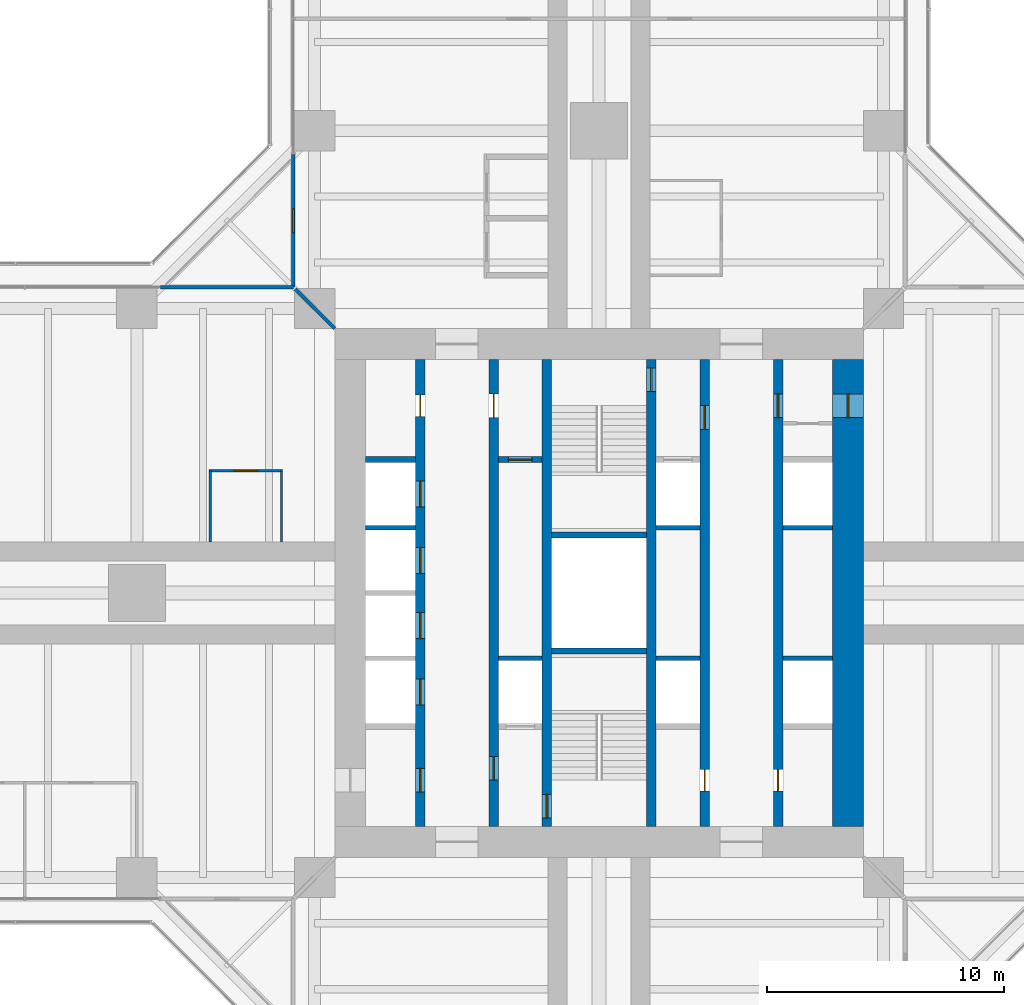
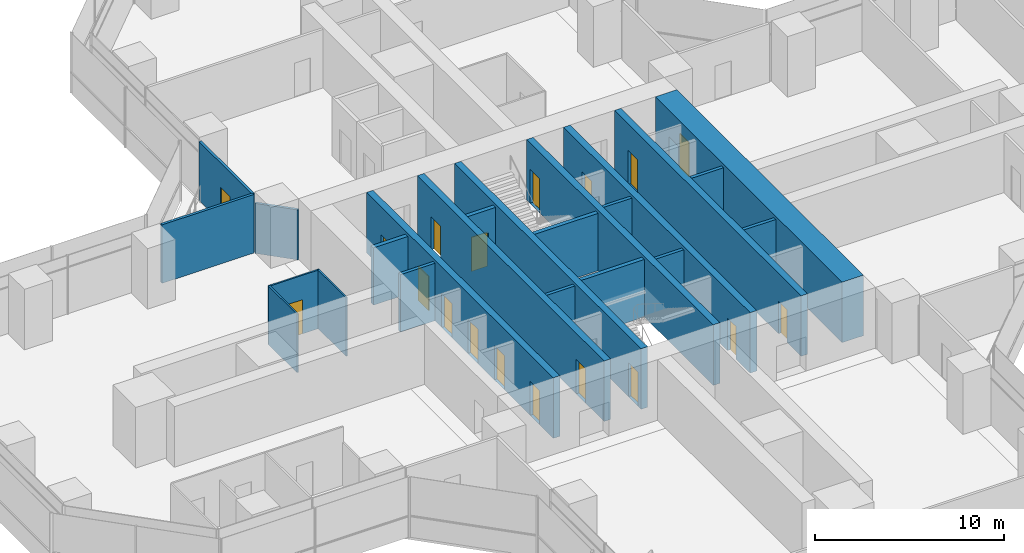
# One storey, part 18 of 22: 23 walls, 18 doors, 18 openings.
"""IFC4 building model written with IfcOpenShell, lengths in metres."""

from ifc_helpers import new_model, si_unit, direction, frame, frame_2d, origin, place, context, subcontext, project, spatial, rectangle, extrude, material, layer, layer_set, type_object, element, fill, save


model = new_model("IFC4")

# Units and contexts
model_context = context("Model", 3, precision=1e-05, world=origin(), true_north=direction((0.0, 1.0)))
body_context = subcontext(model_context, "Body", "Model", "MODEL_VIEW")
ifc_project = project(units=[si_unit("LENGTHUNIT", "METRE"), si_unit("AREAUNIT", "SQUARE_METRE"), si_unit("VOLUMEUNIT", "CUBIC_METRE"), si_unit("PLANEANGLEUNIT", "RADIAN"), si_unit("MASSUNIT", "GRAM", prefix="KILO")], contexts=[model_context])

# Site, building, storey
site_placement = place(None, origin())
site = spatial("IfcSite", under=ifc_project, at=site_placement, CompositionType="ELEMENT")
building_placement = place(site_placement, origin())
building = spatial("IfcBuilding", under=site, at=building_placement, Name="Mizan Broadcast Tower", CompositionType="ELEMENT")
storey_placement = place(building_placement, frame((0.0, 0.0, 74.699951171875)))
storey = spatial("IfcBuildingStorey", under=building, at=storey_placement, Name="L15", CompositionType="ELEMENT", Elevation=74.699951171875)

# Wall, openings, doors
ifc_material_1 = material(Name="Concrete C70/85", Category="concrete")
ifc_layer_1 = layer(ifc_material_1, 0.39990234375)
ifc_layer_set_1 = layer_set([ifc_layer_1], Name="Concrete C70/85")
wall_type_1 = type_object("IfcWallType", Name="CORE INTERNAL WALL 400", PredefinedType="SHEAR", material=ifc_layer_set_1)
wall_1_placement = place(storey_placement, frame((-7.550048828125, -9.85009765625, 0.0), z_axis=(0.0, 0.0, 1.0), x_axis=(0.0, 1.0, 0.0)))
wall_1 = element("IfcWall", 1, at=wall_1_placement, inside=storey, type_object=wall_type_1, Name="Core wall CORE/XW1", PredefinedType="SHEAR", context=body_context, shape_type="SweptSolid", body=[
    extrude(rectangle(XDim=19.7001953125, YDim=0.39990234375, at=frame_2d((9.85009765625, 0.0))), origin(), (0.0, 0.0, 1.0), 3.900146484375),
])
opening_1_placement = place(wall_1_placement, frame((1.449951171875, 0.0, 0.0)))
opening_1 = element("IfcOpeningElement", 2, at=opening_1_placement, cuts=wall_1, Name="Opening D10F", PredefinedType="OPENING", context=body_context, shape_type="SweptSolid", body=[
    extrude(rectangle(XDim=1.0, YDim=2.199951171875, at=frame_2d((0.5, 1.10009765625))), frame((0.0, 0.2099609375, 0.0), z_axis=(0.0, -1.0, 0.0), x_axis=(1.0, 0.0, 0.0)), (0.0, 0.0, 1.0), 0.419921875),
])
opening_2_placement = place(wall_1_placement, frame((17.300048828125, 0.0, 0.0)))
opening_2 = element("IfcOpeningElement", 3, at=opening_2_placement, cuts=wall_1, Name="Opening D09", PredefinedType="OPENING", context=body_context, shape_type="SweptSolid", body=[
    extrude(rectangle(XDim=0.89990234375, YDim=2.10009765625, at=frame_2d((0.449951171875, 1.050048828125))), frame((0.0, 0.2099609375, 0.0), z_axis=(0.0, -1.0, 0.0), x_axis=(1.0, 0.0, 0.0)), (0.0, 0.0, 1.0), 0.419921875),
])
opening_3_placement = place(wall_1_placement, frame((5.125, 0.0, 0.0)))
opening_3 = element("IfcOpeningElement", 4, at=opening_3_placement, cuts=wall_1, Name="Opening LD", PredefinedType="OPENING", context=body_context, shape_type="SweptSolid", body=[
    extrude(rectangle(XDim=1.10009765625, YDim=2.199951171875, at=frame_2d((0.550048828125, 1.10009765625))), frame((0.0, 0.2099609375, 0.0), z_axis=(0.0, -1.0, 0.0), x_axis=(1.0, 0.0, 0.0)), (0.0, 0.0, 1.0), 0.419921875),
])
opening_4_placement = place(wall_1_placement, frame((7.925048828125, 0.0, 0.0)))
opening_4 = element("IfcOpeningElement", 5, at=opening_4_placement, cuts=wall_1, Name="Opening LD", PredefinedType="OPENING", context=body_context, shape_type="SweptSolid", body=[
    extrude(rectangle(XDim=1.10009765625, YDim=2.199951171875, at=frame_2d((0.550048828125, 1.10009765625))), frame((0.0, 0.2099609375, 0.0), z_axis=(0.0, -1.0, 0.0), x_axis=(1.0, 0.0, 0.0)), (0.0, 0.0, 1.0), 0.419921875),
])
opening_5_placement = place(wall_1_placement, frame((10.675048828125, 0.0, 0.0)))
opening_5 = element("IfcOpeningElement", 6, at=opening_5_placement, cuts=wall_1, Name="Opening LD", PredefinedType="OPENING", context=body_context, shape_type="SweptSolid", body=[
    extrude(rectangle(XDim=1.10009765625, YDim=2.199951171875, at=frame_2d((0.550048828125, 1.10009765625))), frame((0.0, 0.2099609375, 0.0), z_axis=(0.0, -1.0, 0.0), x_axis=(1.0, 0.0, 0.0)), (0.0, 0.0, 1.0), 0.419921875),
])
opening_6_placement = place(wall_1_placement, frame((13.47509765625, 0.0, 0.0)))
opening_6 = element("IfcOpeningElement", 7, at=opening_6_placement, cuts=wall_1, Name="Opening LD", PredefinedType="OPENING", context=body_context, shape_type="SweptSolid", body=[
    extrude(rectangle(XDim=1.10009765625, YDim=2.199951171875, at=frame_2d((0.550048828125, 1.10009765625))), frame((0.0, 0.2099609375, 0.0), z_axis=(0.0, -1.0, 0.0), x_axis=(1.0, 0.0, 0.0)), (0.0, 0.0, 1.0), 0.419921875),
])
ifc_material_2 = material(Name="Steel door leaf in steel frame", Category="steel")
door_type_1 = type_object("IfcDoorType", Name="FIRE DOOR 1000 FD90", OperationType="SINGLE_SWING_LEFT", PredefinedType="DOOR", material=ifc_material_2)
door_1_placement = place(opening_1_placement, origin())
door_1 = element("IfcDoor", 8, at=door_1_placement, inside=storey, type_object=door_type_1, Name="West core passage door", OperationType="SINGLE_SWING_LEFT", OverallHeight=2.199951171875, OverallWidth=1.0, PredefinedType="DOOR", context=body_context, shape_type="SweptSolid", body=[
    extrude(rectangle(XDim=1.0, YDim=2.199951171875, at=frame_2d((0.5, 1.10009765625))), frame((0.0, 0.02490234375, 0.0), z_axis=(0.0, -1.0, 0.0), x_axis=(1.0, 0.0, 0.0)), (0.0, 0.0, 1.0), 0.050048828125),
])
fill(opening_1, door_1)
ifc_material_3 = material(Name="Steel door leaf in steel frame", Category="steel")
door_type_2 = type_object("IfcDoorType", Name="LIFT LANDING DOOR 1100", OperationType="SLIDING_TO_LEFT", PredefinedType="DOOR", material=ifc_material_3)
door_2_placement = place(opening_3_placement, origin())
door_2 = element("IfcDoor", 9, at=door_2_placement, inside=storey, type_object=door_type_2, Name="Landing door LA1", OperationType="SLIDING_TO_LEFT", OverallHeight=2.199951171875, OverallWidth=1.10009765625, PredefinedType="DOOR", context=body_context, shape_type="SweptSolid", body=[
    extrude(rectangle(XDim=1.10009765625, YDim=2.199951171875, at=frame_2d((0.550048828125, 1.10009765625))), frame((0.0, 0.02490234375, 0.0), z_axis=(0.0, -1.0, 0.0), x_axis=(1.0, 0.0, 0.0)), (0.0, 0.0, 1.0), 0.050048828125),
])
fill(opening_3, door_2)
door_3_placement = place(opening_4_placement, origin())
door_3 = element("IfcDoor", 10, at=door_3_placement, inside=storey, type_object=door_type_2, Name="Landing door LA2", OperationType="SLIDING_TO_LEFT", OverallHeight=2.199951171875, OverallWidth=1.10009765625, PredefinedType="DOOR", context=body_context, shape_type="SweptSolid", body=[
    extrude(rectangle(XDim=1.10009765625, YDim=2.199951171875, at=frame_2d((0.550048828125, 1.10009765625))), frame((0.0, 0.02490234375, 0.0), z_axis=(0.0, -1.0, 0.0), x_axis=(1.0, 0.0, 0.0)), (0.0, 0.0, 1.0), 0.050048828125),
])
fill(opening_4, door_3)
door_4_placement = place(opening_5_placement, origin())
door_4 = element("IfcDoor", 11, at=door_4_placement, inside=storey, type_object=door_type_2, Name="Landing door LA3", OperationType="SLIDING_TO_LEFT", OverallHeight=2.199951171875, OverallWidth=1.10009765625, PredefinedType="DOOR", context=body_context, shape_type="SweptSolid", body=[
    extrude(rectangle(XDim=1.10009765625, YDim=2.199951171875, at=frame_2d((0.550048828125, 1.10009765625))), frame((0.0, 0.02490234375, 0.0), z_axis=(0.0, -1.0, 0.0), x_axis=(1.0, 0.0, 0.0)), (0.0, 0.0, 1.0), 0.050048828125),
])
fill(opening_5, door_4)
door_5_placement = place(opening_6_placement, origin())
door_5 = element("IfcDoor", 12, at=door_5_placement, inside=storey, type_object=door_type_2, Name="Landing door LA4", OperationType="SLIDING_TO_LEFT", OverallHeight=2.199951171875, OverallWidth=1.10009765625, PredefinedType="DOOR", context=body_context, shape_type="SweptSolid", body=[
    extrude(rectangle(XDim=1.10009765625, YDim=2.199951171875, at=frame_2d((0.550048828125, 1.10009765625))), frame((0.0, 0.02490234375, 0.0), z_axis=(0.0, -1.0, 0.0), x_axis=(1.0, 0.0, 0.0)), (0.0, 0.0, 1.0), 0.050048828125),
])
fill(opening_6, door_5)
ifc_material_4 = material(Name="Timber door leaf in aluminium frame", Category="wood")
door_type_3 = type_object("IfcDoorType", Name="TOILET DOOR 900", OperationType="SINGLE_SWING_LEFT", PredefinedType="DOOR", material=ifc_material_4)
door_6_placement = place(opening_2_placement, origin())
door_6 = element("IfcDoor", 13, at=door_6_placement, inside=storey, type_object=door_type_3, Name="Male WC door", OperationType="SINGLE_SWING_RIGHT", OverallHeight=2.10009765625, OverallWidth=0.89990234375, PredefinedType="DOOR", context=body_context, shape_type="SweptSolid", body=[
    extrude(rectangle(XDim=0.89990234375, YDim=2.10009765625, at=frame_2d((0.449951171875, 1.050048828125))), frame((0.0, 0.02490234375, 0.0), z_axis=(0.0, -1.0, 0.0), x_axis=(1.0, 0.0, 0.0)), (0.0, 0.0, 1.0), 0.050048828125),
])
fill(opening_2, door_6)

wall_2_placement = place(storey_placement, frame((7.550048828125, 9.85009765625, 0.0), z_axis=(0.0, 0.0, 1.0), x_axis=(0.0, -1.0, 0.0)))
wall_2 = element("IfcWall", 14, at=wall_2_placement, inside=storey, type_object=wall_type_1, Name="Core wall CORE/XW1E", PredefinedType="SHEAR", context=body_context, shape_type="SweptSolid", body=[
    extrude(rectangle(XDim=19.7001953125, YDim=0.39990234375, at=frame_2d((9.85009765625, 0.0))), origin(), (0.0, 0.0, 1.0), 3.900146484375),
])
opening_7_placement = place(wall_2_placement, frame((1.449951171875, 0.0, 0.0)))
opening_7 = element("IfcOpeningElement", 15, at=opening_7_placement, cuts=wall_2, Name="Opening D10F", PredefinedType="OPENING", context=body_context, shape_type="SweptSolid", body=[
    extrude(rectangle(XDim=1.0, YDim=2.199951171875, at=frame_2d((0.5, 1.10009765625))), frame((0.0, 0.2099609375, 0.0), z_axis=(0.0, -1.0, 0.0), x_axis=(1.0, 0.0, 0.0)), (0.0, 0.0, 1.0), 0.419921875),
])
opening_8_placement = place(wall_2_placement, frame((17.300048828125, 0.0, 0.0)))
opening_8 = element("IfcOpeningElement", 16, at=opening_8_placement, cuts=wall_2, Name="Opening D09", PredefinedType="OPENING", context=body_context, shape_type="SweptSolid", body=[
    extrude(rectangle(XDim=0.89990234375, YDim=2.10009765625, at=frame_2d((0.449951171875, 1.050048828125))), frame((0.0, 0.2099609375, 0.0), z_axis=(0.0, -1.0, 0.0), x_axis=(1.0, 0.0, 0.0)), (0.0, 0.0, 1.0), 0.419921875),
])
door_7_placement = place(opening_7_placement, origin())
door_7 = element("IfcDoor", 17, at=door_7_placement, inside=storey, type_object=door_type_1, Name="East core passage door", OperationType="SINGLE_SWING_LEFT", OverallHeight=2.199951171875, OverallWidth=1.0, PredefinedType="DOOR", context=body_context, shape_type="SweptSolid", body=[
    extrude(rectangle(XDim=1.0, YDim=2.199951171875, at=frame_2d((0.5, 1.10009765625))), frame((0.0, 0.02490234375, 0.0), z_axis=(0.0, -1.0, 0.0), x_axis=(1.0, 0.0, 0.0)), (0.0, 0.0, 1.0), 0.050048828125),
])
fill(opening_7, door_7)
door_8_placement = place(opening_8_placement, origin())
door_8 = element("IfcDoor", 18, at=door_8_placement, inside=storey, type_object=door_type_3, Name="Female WC door", OperationType="SINGLE_SWING_RIGHT", OverallHeight=2.10009765625, OverallWidth=0.89990234375, PredefinedType="DOOR", context=body_context, shape_type="SweptSolid", body=[
    extrude(rectangle(XDim=0.89990234375, YDim=2.10009765625, at=frame_2d((0.449951171875, 1.050048828125))), frame((0.0, 0.02490234375, 0.0), z_axis=(0.0, -1.0, 0.0), x_axis=(1.0, 0.0, 0.0)), (0.0, 0.0, 1.0), 0.050048828125),
])
fill(opening_8, door_8)

wall_3_placement = place(storey_placement, frame((-4.449951171875, -9.85009765625, 0.0), z_axis=(0.0, 0.0, 1.0), x_axis=(0.0, 1.0, 0.0)))
wall_3 = element("IfcWall", 19, at=wall_3_placement, inside=storey, type_object=wall_type_1, Name="Core wall CORE/XWH", PredefinedType="SHEAR", context=body_context, shape_type="SweptSolid", body=[
    extrude(rectangle(XDim=19.7001953125, YDim=0.39990234375, at=frame_2d((9.85009765625, 0.0))), origin(), (0.0, 0.0, 1.0), 3.900146484375),
])
opening_9_placement = place(wall_3_placement, frame((1.949951171875, 0.0, 0.0)))
opening_9 = element("IfcOpeningElement", 20, at=opening_9_placement, cuts=wall_3, Name="Opening D10F", PredefinedType="OPENING", context=body_context, shape_type="SweptSolid", body=[
    extrude(rectangle(XDim=1.0, YDim=2.199951171875, at=frame_2d((0.5, 1.10009765625))), frame((0.0, 0.2099609375, 0.0), z_axis=(0.0, -1.0, 0.0), x_axis=(1.0, 0.0, 0.0)), (0.0, 0.0, 1.0), 0.419921875),
])
opening_10_placement = place(wall_3_placement, frame((17.25, 0.0, 0.0)))
opening_10 = element("IfcOpeningElement", 21, at=opening_10_placement, cuts=wall_3, Name="Opening D10A", PredefinedType="OPENING", context=body_context, shape_type="SweptSolid", body=[
    extrude(rectangle(XDim=1.0, YDim=2.10009765625, at=frame_2d((0.5, 1.050048828125))), frame((0.0, 0.2099609375, 0.0), z_axis=(0.0, -1.0, 0.0), x_axis=(1.0, 0.0, 0.0)), (0.0, 0.0, 1.0), 0.419921875),
])
ifc_material_5 = material(Name="Timber door leaf in aluminium frame", Category="wood")
door_type_4 = type_object("IfcDoorType", Name="ACCESSIBLE WC DOOR 1000", OperationType="SLIDING_TO_LEFT", PredefinedType="DOOR", material=ifc_material_5)
door_9_placement = place(opening_10_placement, origin())
door_9 = element("IfcDoor", 22, at=door_9_placement, inside=storey, type_object=door_type_4, Name="Accessible WC door", OperationType="SLIDING_TO_LEFT", OverallHeight=2.10009765625, OverallWidth=1.0, PredefinedType="DOOR", context=body_context, shape_type="SweptSolid", body=[
    extrude(rectangle(XDim=1.0, YDim=2.10009765625, at=frame_2d((0.5, 1.050048828125))), frame((0.0, 0.02490234375, 0.0), z_axis=(0.0, -1.0, 0.0), x_axis=(1.0, 0.0, 0.0)), (0.0, 0.0, 1.0), 0.050048828125),
])
fill(opening_10, door_9)
door_10_placement = place(opening_9_placement, origin())
door_10 = element("IfcDoor", 23, at=door_10_placement, inside=storey, type_object=door_type_1, Name="Firefighting lobby A door", OperationType="SINGLE_SWING_LEFT", OverallHeight=2.199951171875, OverallWidth=1.0, PredefinedType="DOOR", context=body_context, shape_type="SweptSolid", body=[
    extrude(rectangle(XDim=1.0, YDim=2.199951171875, at=frame_2d((0.5, 1.10009765625))), frame((0.0, 0.02490234375, 0.0), z_axis=(0.0, -1.0, 0.0), x_axis=(1.0, 0.0, 0.0)), (0.0, 0.0, 1.0), 0.050048828125),
])
fill(opening_9, door_10)

wall_4_placement = place(storey_placement, frame((4.449951171875, 9.85009765625, 0.0), z_axis=(0.0, 0.0, 1.0), x_axis=(0.0, -1.0, 0.0)))
wall_4 = element("IfcWall", 24, at=wall_4_placement, inside=storey, type_object=wall_type_1, Name="Core wall CORE/XWHE", PredefinedType="SHEAR", context=body_context, shape_type="SweptSolid", body=[
    extrude(rectangle(XDim=19.7001953125, YDim=0.39990234375, at=frame_2d((9.85009765625, 0.0))), origin(), (0.0, 0.0, 1.0), 3.900146484375),
])
opening_11_placement = place(wall_4_placement, frame((1.949951171875, 0.0, 0.0)))
opening_11 = element("IfcOpeningElement", 25, at=opening_11_placement, cuts=wall_4, Name="Opening D10F", PredefinedType="OPENING", context=body_context, shape_type="SweptSolid", body=[
    extrude(rectangle(XDim=1.0, YDim=2.199951171875, at=frame_2d((0.5, 1.10009765625))), frame((0.0, 0.2099609375, 0.0), z_axis=(0.0, -1.0, 0.0), x_axis=(1.0, 0.0, 0.0)), (0.0, 0.0, 1.0), 0.419921875),
])
opening_12_placement = place(wall_4_placement, frame((17.300048828125, 0.0, 0.0)))
opening_12 = element("IfcOpeningElement", 26, at=opening_12_placement, cuts=wall_4, Name="Opening D09", PredefinedType="OPENING", context=body_context, shape_type="SweptSolid", body=[
    extrude(rectangle(XDim=0.89990234375, YDim=2.10009765625, at=frame_2d((0.449951171875, 1.050048828125))), frame((0.0, 0.2099609375, 0.0), z_axis=(0.0, -1.0, 0.0), x_axis=(1.0, 0.0, 0.0)), (0.0, 0.0, 1.0), 0.419921875),
])
door_11_placement = place(opening_11_placement, origin())
door_11 = element("IfcDoor", 27, at=door_11_placement, inside=storey, type_object=door_type_1, Name="Firefighting lobby B door", OperationType="SINGLE_SWING_LEFT", OverallHeight=2.199951171875, OverallWidth=1.0, PredefinedType="DOOR", context=body_context, shape_type="SweptSolid", body=[
    extrude(rectangle(XDim=1.0, YDim=2.199951171875, at=frame_2d((0.5, 1.10009765625))), frame((0.0, 0.02490234375, 0.0), z_axis=(0.0, -1.0, 0.0), x_axis=(1.0, 0.0, 0.0)), (0.0, 0.0, 1.0), 0.050048828125),
])
fill(opening_11, door_11)
door_12_placement = place(opening_12_placement, origin())
door_12 = element("IfcDoor", 28, at=door_12_placement, inside=storey, type_object=door_type_3, Name="Cleaner's store door", OperationType="SINGLE_SWING_RIGHT", OverallHeight=2.10009765625, OverallWidth=0.89990234375, PredefinedType="DOOR", context=body_context, shape_type="SweptSolid", body=[
    extrude(rectangle(XDim=0.89990234375, YDim=2.10009765625, at=frame_2d((0.449951171875, 1.050048828125))), frame((0.0, 0.02490234375, 0.0), z_axis=(0.0, -1.0, 0.0), x_axis=(1.0, 0.0, 0.0)), (0.0, 0.0, 1.0), 0.050048828125),
])
fill(opening_12, door_12)

# Wall, opening, door
wall_5_placement = place(storey_placement, frame((-2.199951171875, -9.85009765625, 0.0), z_axis=(0.0, 0.0, 1.0), x_axis=(0.0, 1.0, 0.0)))
wall_5 = element("IfcWall", 29, at=wall_5_placement, inside=storey, type_object=wall_type_1, Name="Core wall CORE/XW2", PredefinedType="SHEAR", context=body_context, shape_type="SweptSolid", body=[
    extrude(rectangle(XDim=19.7001953125, YDim=0.39990234375, at=frame_2d((9.85009765625, 0.0))), origin(), (0.0, 0.0, 1.0), 3.900146484375),
])
opening_13_placement = place(wall_5_placement, frame((0.35009765625, 0.0, 0.0)))
opening_13 = element("IfcOpeningElement", 30, at=opening_13_placement, cuts=wall_5, Name="Opening D10S", PredefinedType="OPENING", context=body_context, shape_type="SweptSolid", body=[
    extrude(rectangle(XDim=1.0, YDim=2.199951171875, at=frame_2d((0.5, 1.10009765625))), frame((0.0, 0.2099609375, 0.0), z_axis=(0.0, -1.0, 0.0), x_axis=(1.0, 0.0, 0.0)), (0.0, 0.0, 1.0), 0.419921875),
])
ifc_material_6 = material(Name="Steel door leaf in steel frame", Category="steel")
door_type_5 = type_object("IfcDoorType", Name="STAIR DOOR 1000 FD90S", OperationType="SINGLE_SWING_RIGHT", PredefinedType="DOOR", material=ifc_material_6)
door_13_placement = place(opening_13_placement, origin())
door_13 = element("IfcDoor", 31, at=door_13_placement, inside=storey, type_object=door_type_5, Name="Stair A door", OperationType="SINGLE_SWING_RIGHT", OverallHeight=2.199951171875, OverallWidth=1.0, PredefinedType="DOOR", context=body_context, shape_type="SweptSolid", body=[
    extrude(rectangle(XDim=1.0, YDim=2.199951171875, at=frame_2d((0.5, 1.10009765625))), frame((0.0, 0.02490234375, 0.0), z_axis=(0.0, -1.0, 0.0), x_axis=(1.0, 0.0, 0.0)), (0.0, 0.0, 1.0), 0.050048828125),
])
fill(opening_13, door_13)

wall_6_placement = place(storey_placement, frame((2.199951171875, 9.85009765625, 0.0), z_axis=(0.0, 0.0, 1.0), x_axis=(0.0, -1.0, 0.0)))
wall_6 = element("IfcWall", 32, at=wall_6_placement, inside=storey, type_object=wall_type_1, Name="Core wall CORE/XW2E", PredefinedType="SHEAR", context=body_context, shape_type="SweptSolid", body=[
    extrude(rectangle(XDim=19.7001953125, YDim=0.39990234375, at=frame_2d((9.85009765625, 0.0))), origin(), (0.0, 0.0, 1.0), 3.900146484375),
])
opening_14_placement = place(wall_6_placement, frame((0.35009765625, 0.0, 0.0)))
opening_14 = element("IfcOpeningElement", 33, at=opening_14_placement, cuts=wall_6, Name="Opening D10S", PredefinedType="OPENING", context=body_context, shape_type="SweptSolid", body=[
    extrude(rectangle(XDim=1.0, YDim=2.199951171875, at=frame_2d((0.5, 1.10009765625))), frame((0.0, 0.2099609375, 0.0), z_axis=(0.0, -1.0, 0.0), x_axis=(1.0, 0.0, 0.0)), (0.0, 0.0, 1.0), 0.419921875),
])
door_14_placement = place(opening_14_placement, origin())
door_14 = element("IfcDoor", 34, at=door_14_placement, inside=storey, type_object=door_type_5, Name="Stair B door", OperationType="SINGLE_SWING_RIGHT", OverallHeight=2.199951171875, OverallWidth=1.0, PredefinedType="DOOR", context=body_context, shape_type="SweptSolid", body=[
    extrude(rectangle(XDim=1.0, YDim=2.199951171875, at=frame_2d((0.5, 1.10009765625))), frame((0.0, 0.02490234375, 0.0), z_axis=(0.0, -1.0, 0.0), x_axis=(1.0, 0.0, 0.0)), (0.0, 0.0, 1.0), 0.050048828125),
])
fill(opening_14, door_14)

ifc_material_7 = material(Name="Concrete C70/85", Category="concrete")
ifc_layer_2 = layer(ifc_material_7, 1.300048828125)
ifc_layer_set_2 = layer_set([ifc_layer_2], Name="Concrete C70/85")
wall_type_2 = type_object("IfcWallType", Name="CORE WALL 1300", PredefinedType="SHEAR", material=ifc_layer_set_2)
wall_7_placement = place(storey_placement, frame((10.5, -9.85009765625, 0.0), z_axis=(0.0, 0.0, 1.0), x_axis=(0.0, 1.0, 0.0)))
wall_7 = element("IfcWall", 35, at=wall_7_placement, inside=storey, type_object=wall_type_2, Name="Core wall E L15", PredefinedType="SHEAR", context=body_context, shape_type="SweptSolid", body=[
    extrude(rectangle(XDim=19.7001953125, YDim=1.300048828125, at=frame_2d((9.85009765625, 0.0))), origin(), (0.0, 0.0, 1.0), 3.900146484375),
])
opening_15_placement = place(wall_7_placement, frame((17.25, 0.0, 0.0)))
opening_15 = element("IfcOpeningElement", 36, at=opening_15_placement, cuts=wall_7, Name="Opening D10F", PredefinedType="OPENING", context=body_context, shape_type="SweptSolid", body=[
    extrude(rectangle(XDim=1.0, YDim=2.199951171875, at=frame_2d((0.5, 1.10009765625))), frame((0.0, 0.659912109375, 0.0), z_axis=(0.0, -1.0, 0.0), x_axis=(1.0, 0.0, 0.0)), (0.0, 0.0, 1.0), 1.320068359375),
])
door_15_placement = place(opening_15_placement, origin())
door_15 = element("IfcDoor", 37, at=door_15_placement, inside=storey, type_object=door_type_1, Name="East core passage arm door", OperationType="SINGLE_SWING_RIGHT", OverallHeight=2.199951171875, OverallWidth=1.0, PredefinedType="DOOR", context=body_context, shape_type="SweptSolid", body=[
    extrude(rectangle(XDim=1.0, YDim=2.199951171875, at=frame_2d((0.5, 1.10009765625))), frame((0.0, 0.02490234375, 0.0), z_axis=(0.0, -1.0, 0.0), x_axis=(1.0, 0.0, 0.0)), (0.0, 0.0, 1.0), 0.050048828125),
])
fill(opening_15, door_15)

ifc_material_8 = material(Name="Aluminium framed glazed screen", Category="aluminium")
ifc_layer_3 = layer(ifc_material_8, 0.159912109375)
ifc_layer_set_3 = layer_set([ifc_layer_3], Name="Aluminium framed glazed screen")
wall_type_3 = type_object("IfcWallType", Name="GLAZED SCREEN WALL 160", PredefinedType="SOLIDWALL", material=ifc_layer_set_3)
wall_8_placement = place(storey_placement, frame((-12.89990234375, 18.5, 0.0), z_axis=(0.0, 0.0, 1.0), x_axis=(0.0, -1.0, 0.0)))
wall_8 = element("IfcWall", 38, at=wall_8_placement, inside=storey, type_object=wall_type_3, Name="Winter garden screen L15 N", PredefinedType="SOLIDWALL", context=body_context, shape_type="SweptSolid", body=[
    extrude(rectangle(XDim=5.60009765625, YDim=0.159912109375, at=frame_2d((2.800048828125, 0.0))), origin(), (0.0, 0.0, 1.0), 3.77001953125),
])
opening_16_placement = place(wall_8_placement, frame((2.300048828125, 0.0, 0.0)))
opening_16 = element("IfcOpeningElement", 39, at=opening_16_placement, cuts=wall_8, Name="Opening WGD", PredefinedType="OPENING", context=body_context, shape_type="SweptSolid", body=[
    extrude(rectangle(XDim=1.0, YDim=2.199951171875, at=frame_2d((0.5, 1.10009765625))), frame((0.0, 0.08984375, 0.0), z_axis=(0.0, -1.0, 0.0), x_axis=(1.0, 0.0, 0.0)), (0.0, 0.0, 1.0), 0.179931640625),
])
ifc_material_9 = material(Name="Aluminium framed glazed door", Category="aluminium")
door_type_6 = type_object("IfcDoorType", Name="WINTER GARDEN DOOR 1000 GLAZED", OperationType="SINGLE_SWING_LEFT", PredefinedType="DOOR", material=ifc_material_9)
door_16_placement = place(opening_16_placement, origin())
door_16 = element("IfcDoor", 40, at=door_16_placement, inside=storey, type_object=door_type_6, Name="Winter garden door L15 N", OperationType="SINGLE_SWING_RIGHT", OverallHeight=2.199951171875, OverallWidth=1.0, PredefinedType="DOOR", context=body_context, shape_type="SweptSolid", body=[
    extrude(rectangle(XDim=1.0, YDim=2.199951171875, at=frame_2d((0.5, 1.10009765625))), frame((0.0, 0.02490234375, 0.0), z_axis=(0.0, -1.0, 0.0), x_axis=(1.0, 0.0, 0.0)), (0.0, 0.0, 1.0), 0.050048828125),
])
fill(opening_16, door_16)

# Walls
wall_9_placement = place(storey_placement, frame((-12.89990234375, 12.89990234375, 0.0), z_axis=(0.0, 0.0, 1.0), x_axis=(-1.0, 0.0, 0.0)))
element("IfcWall", 41, at=wall_9_placement, inside=storey, type_object=wall_type_3, Name="Winter garden screen L15 W", PredefinedType="SOLIDWALL", context=body_context, shape_type="SweptSolid", body=[
    extrude(rectangle(XDim=5.60009765625, YDim=0.159912109375, at=frame_2d((2.800048828125, 0.0))), origin(), (0.0, 0.0, 1.0), 3.77001953125),
])
ifc_material_10 = material(Name="Concrete blockwork", Category="masonry")
ifc_layer_4 = layer(ifc_material_10, 0.199951171875)
ifc_layer_set_4 = layer_set([ifc_layer_4], Name="Concrete blockwork")
wall_type_4 = type_object("IfcWallType", Name="LIFT SHAFT WALL 200", PredefinedType="SOLIDWALL", material=ifc_layer_set_4)
for number, where, z_axis, x_axis, name in (
    (42, (-4.25, -2.75, 0.0), (0.0, 0.0, 1.0), (1.0, 0.0, 0.0), "Lift shaft wall CORE/SW2-1"),
    (43, (2.39990234375, -2.75, 0.0), (0.0, 0.0, 1.0), (1.0, 0.0, 0.0), "Lift shaft wall CORE/SE2-1"),
):
    element("IfcWall", number, at=place(storey_placement, frame(where, z_axis=z_axis, x_axis=x_axis)), inside=storey, type_object=wall_type_4, Name=name, PredefinedType="SOLIDWALL", context=body_context, shape_type="SweptSolid", body=[
        extrude(rectangle(XDim=1.85009765625, YDim=0.199951171875, at=frame_2d((0.925048828125, 0.0))), origin(), (0.0, 0.0, 1.0), 3.699951171875),
    ])
for number, where, z_axis, x_axis, name in (
    (44, (7.75, -2.75, 0.0), (0.0, 0.0, 1.0), (1.0, 0.0, 0.0), "Lift shaft wall CORE/SE1-1"),
    (45, (-9.85009765625, 2.75, 0.0), (0.0, 0.0, 1.0), (1.0, 0.0, 0.0), "Lift shaft wall CORE/SW1-3"),
):
    element("IfcWall", number, at=place(storey_placement, frame(where, z_axis=z_axis, x_axis=x_axis)), inside=storey, type_object=wall_type_4, Name=name, PredefinedType="SOLIDWALL", context=body_context, shape_type="SweptSolid", body=[
        extrude(rectangle(XDim=2.10009765625, YDim=0.199951171875, at=frame_2d((1.050048828125, 0.0))), origin(), (0.0, 0.0, 1.0), 3.699951171875),
    ])
wall_10_placement = place(storey_placement, frame((2.39990234375, 2.75, 0.0), z_axis=(0.0, 0.0, 1.0), x_axis=(1.0, 0.0, 0.0)))
element("IfcWall", 46, at=wall_10_placement, inside=storey, type_object=wall_type_4, Name="Lift shaft wall CORE/SE2-3", PredefinedType="SOLIDWALL", context=body_context, shape_type="SweptSolid", body=[
    extrude(rectangle(XDim=1.85009765625, YDim=0.199951171875, at=frame_2d((0.925048828125, 0.0))), origin(), (0.0, 0.0, 1.0), 3.699951171875),
])
wall_11_placement = place(storey_placement, frame((7.75, 2.75, 0.0), z_axis=(0.0, 0.0, 1.0), x_axis=(1.0, 0.0, 0.0)))
element("IfcWall", 47, at=wall_11_placement, inside=storey, type_object=wall_type_4, Name="Lift shaft wall CORE/SE1-3", PredefinedType="SOLIDWALL", context=body_context, shape_type="SweptSolid", body=[
    extrude(rectangle(XDim=2.10009765625, YDim=0.199951171875, at=frame_2d((1.050048828125, 0.0))), origin(), (0.0, 0.0, 1.0), 3.699951171875),
])
ifc_material_11 = material(Name="Concrete blockwork", Category="masonry")
ifc_layer_5 = layer(ifc_material_11, 0.25)
ifc_layer_set_5 = layer_set([ifc_layer_5], Name="Concrete blockwork")
wall_type_5 = type_object("IfcWallType", Name="LOBBY ENCLOSURE WALL 250", PredefinedType="SOLIDWALL", material=ifc_layer_set_5)
wall_12_placement = place(storey_placement, frame((-9.85009765625, 5.625, 0.0), z_axis=(0.0, 0.0, 1.0), x_axis=(1.0, 0.0, 0.0)))
element("IfcWall", 48, at=wall_12_placement, inside=storey, type_object=wall_type_5, Name="Lobby enclosure wall CORE/BW1N", PredefinedType="SOLIDWALL", context=body_context, shape_type="SweptSolid", body=[
    extrude(rectangle(XDim=2.10009765625, YDim=0.25, at=frame_2d((1.050048828125, 0.0))), origin(), (0.0, 0.0, 1.0), 3.699951171875),
])

# Wall, opening, door
wall_13_placement = place(storey_placement, frame((-4.25, 5.625, 0.0), z_axis=(0.0, 0.0, 1.0), x_axis=(1.0, 0.0, 0.0)))
wall_13 = element("IfcWall", 49, at=wall_13_placement, inside=storey, type_object=wall_type_5, Name="Lobby enclosure wall CORE/BW2N", PredefinedType="SOLIDWALL", context=body_context, shape_type="SweptSolid", body=[
    extrude(rectangle(XDim=1.85009765625, YDim=0.25, at=frame_2d((0.925048828125, 0.0))), origin(), (0.0, 0.0, 1.0), 3.699951171875),
])
opening_17_placement = place(wall_13_placement, frame((0.425048828125, 0.0, 0.0)))
opening_17 = element("IfcOpeningElement", 50, at=opening_17_placement, cuts=wall_13, Name="Opening D10F", PredefinedType="OPENING", context=body_context, shape_type="SweptSolid", body=[
    extrude(rectangle(XDim=1.0, YDim=2.199951171875, at=frame_2d((0.5, 1.10009765625))), frame((0.0, 0.135009765625, 0.0), z_axis=(0.0, -1.0, 0.0), x_axis=(1.0, 0.0, 0.0)), (0.0, 0.0, 1.0), 0.27001953125),
])
door_17_placement = place(opening_17_placement, origin())
door_17 = element("IfcDoor", 51, at=door_17_placement, inside=storey, type_object=door_type_1, Name="Accessible shower room door", OperationType="SINGLE_SWING_RIGHT", OverallHeight=2.199951171875, OverallWidth=1.0, PredefinedType="DOOR", context=body_context, shape_type="SweptSolid", body=[
    extrude(rectangle(XDim=1.0, YDim=2.199951171875, at=frame_2d((0.5, 1.10009765625))), frame((0.0, 0.02490234375, 0.0), z_axis=(0.0, -1.0, 0.0), x_axis=(1.0, 0.0, 0.0)), (0.0, 0.0, 1.0), 0.050048828125),
])
fill(opening_17, door_17)

# Walls
for number, where, z_axis, x_axis, name in (
    (52, (-2.0, -2.449951171875, 0.0), (0.0, 0.0, 1.0), (1.0, 0.0, 0.0), "Lobby enclosure wall CORE/STA"),
    (53, (-2.0, 2.449951171875, 0.0), (0.0, 0.0, 1.0), (1.0, 0.0, 0.0), "Lobby enclosure wall CORE/STB"),
):
    element("IfcWall", number, at=place(storey_placement, frame(where, z_axis=z_axis, x_axis=x_axis)), inside=storey, type_object=wall_type_5, Name=name, PredefinedType="SOLIDWALL", context=body_context, shape_type="SweptSolid", body=[
        extrude(rectangle(XDim=4.0, YDim=0.25, at=frame_2d((2.0, 0.0))), origin(), (0.0, 0.0, 1.0), 3.699951171875),
    ])
ifc_material_12 = material(Name="Gypsum board on steel studs", Category="steel")
ifc_layer_6 = layer(ifc_material_12, 0.14990234375)
ifc_layer_set_6 = layer_set([ifc_layer_6], Name="Gypsum board on steel studs")
wall_type_6 = type_object("IfcWallType", Name="PARTITION 150", PredefinedType="PARTITIONING", material=ifc_layer_set_6)
wall_14_placement = place(storey_placement, frame((-11.14990234375, 11.14990234375, 0.0), z_axis=(0.0, 0.0, 1.0), x_axis=(-0.707106781187, 0.707106781187, 0.0)))
element("IfcWall", 54, at=wall_14_placement, inside=storey, type_object=wall_type_6, Name="Partition PT/DGWN", PredefinedType="PARTITIONING", context=body_context, shape_type="SweptSolid", body=[
    extrude(rectangle(XDim=2.362060546875, YDim=0.14990234375, at=frame_2d((1.18115234375, 0.0))), origin(), (0.0, 0.0, 1.0), 3.219970703125),
])
ifc_material_13 = material(Name="Glazed aluminium partition on aluminium track", Category="aluminium")
ifc_layer_7 = layer(ifc_material_13, 0.10009765625)
ifc_layer_set_7 = layer_set([ifc_layer_7], Name="Glazed aluminium partition on aluminium track")
wall_type_7 = type_object("IfcWallType", Name="PARTITION GLAZED OFFICE FRONT 100", PredefinedType="PARTITIONING", material=ifc_layer_set_7)
for number, where, z_axis, x_axis, name in (
    (55, (-13.39990234375, 2.14990234375, 0.0), (0.0, 0.0, 1.0), (0.0, 1.0, 0.0), "Glazed office front PT/WKN0a"),
    (56, (-16.39990234375, 2.14990234375, 0.0), (0.0, 0.0, 1.0), (0.0, 1.0, 0.0), "Glazed office front PT/WKN0b"),
):
    element("IfcWall", number, at=place(storey_placement, frame(where, z_axis=z_axis, x_axis=x_axis)), inside=storey, type_object=wall_type_7, Name=name, PredefinedType="PARTITIONING", context=body_context, shape_type="SweptSolid", body=[
        extrude(rectangle(XDim=3.0, YDim=0.10009765625, at=frame_2d((1.5, 0.0))), origin(), (0.0, 0.0, 1.0), 3.77001953125),
    ])

# Wall, opening, door
wall_15_placement = place(storey_placement, frame((-13.35009765625, 5.14990234375, 0.0), z_axis=(0.0, 0.0, 1.0), x_axis=(-1.0, 0.0, 0.0)))
wall_15 = element("IfcWall", 57, at=wall_15_placement, inside=storey, type_object=wall_type_7, Name="Glazed office front PT/WKN0f", PredefinedType="PARTITIONING", context=body_context, shape_type="SweptSolid", body=[
    extrude(rectangle(XDim=3.099853515625, YDim=0.10009765625, at=frame_2d((1.5498046875, 0.0))), origin(), (0.0, 0.0, 1.0), 3.77001953125),
])
opening_18_placement = place(wall_15_placement, frame((1.050048828125, 0.0, 0.0)))
opening_18 = element("IfcOpeningElement", 58, at=opening_18_placement, cuts=wall_15, Name="Opening D10O", PredefinedType="OPENING", context=body_context, shape_type="SweptSolid", body=[
    extrude(rectangle(XDim=1.0, YDim=2.199951171875, at=frame_2d((0.5, 1.10009765625))), frame((0.0, 0.06005859375, 0.0), z_axis=(0.0, -1.0, 0.0), x_axis=(1.0, 0.0, 0.0)), (0.0, 0.0, 1.0), 0.1201171875),
])
ifc_material_14 = material(Name="Timber door leaf in aluminium frame", Category="wood")
door_type_7 = type_object("IfcDoorType", Name="OFFICE DOOR 1000 GLAZED", OperationType="SINGLE_SWING_LEFT", PredefinedType="DOOR", material=ifc_material_14)
door_18_placement = place(opening_18_placement, origin())
door_18 = element("IfcDoor", 59, at=door_18_placement, inside=storey, type_object=door_type_7, Name="Pantry door", OperationType="SINGLE_SWING_LEFT", OverallHeight=2.199951171875, OverallWidth=1.0, PredefinedType="DOOR", context=body_context, shape_type="SweptSolid", body=[
    extrude(rectangle(XDim=1.0, YDim=2.199951171875, at=frame_2d((0.5, 1.10009765625))), frame((0.0, 0.02490234375, 0.0), z_axis=(0.0, -1.0, 0.0), x_axis=(1.0, 0.0, 0.0)), (0.0, 0.0, 1.0), 0.050048828125),
])
fill(opening_18, door_18)

save(model, "model.ifc")
